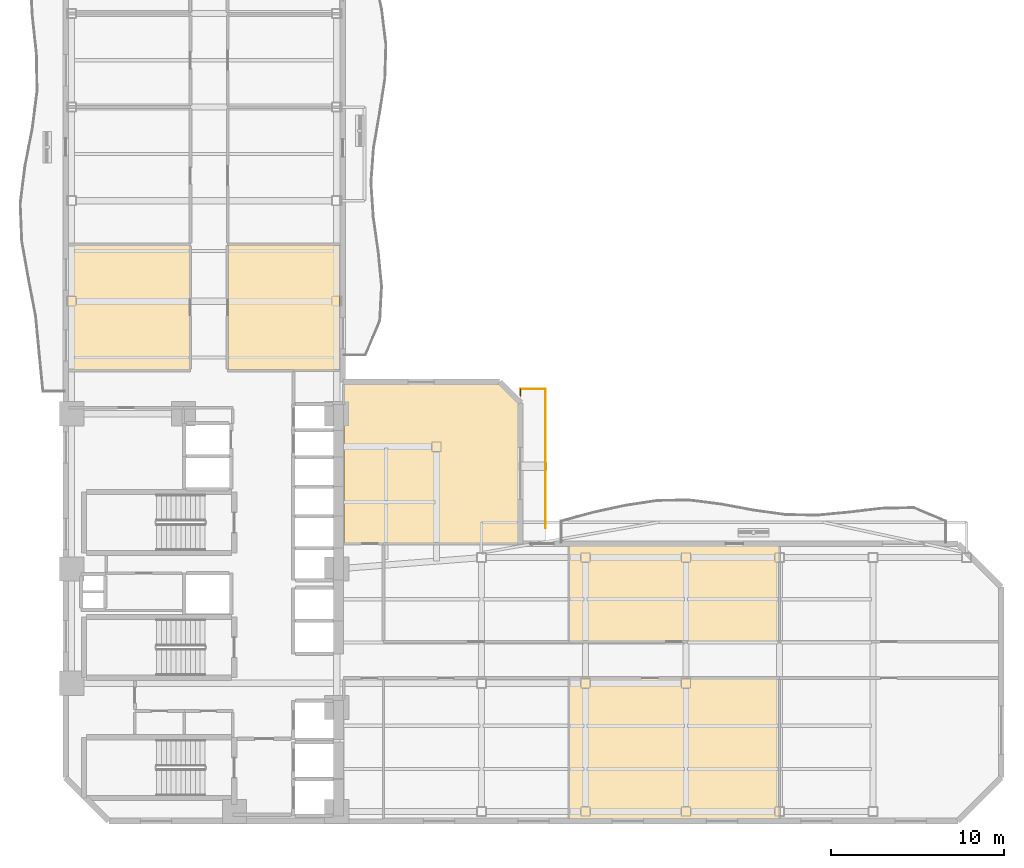
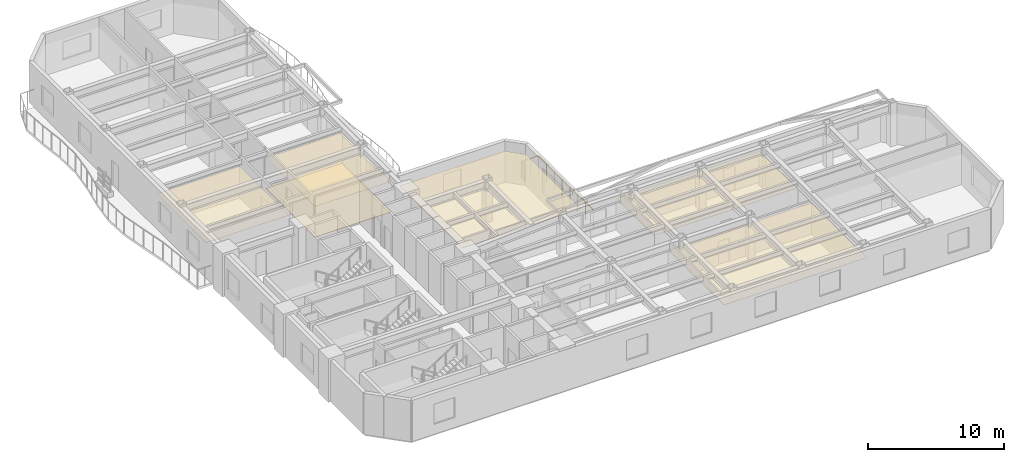
# One storey, part 9 of 11: 6 coverings, 3 railings.
"""IFC4 building model written with IfcOpenShell, lengths in metres."""

from ifc_helpers import new_model, si_unit, direction, frame, origin, origin_2d, place, context, subcontext, project, spatial, polyline, rectangle, outline, extrude, material, layer, layer_set, type_object, element, save


model = new_model("IFC4")

# Units and contexts
model_context = context("Model", 3, precision=1e-05, world=origin(), true_north=direction((0.0, 1.0)))
body_context = subcontext(model_context, "Body", "Model", "MODEL_VIEW")
ifc_project = project(units=[si_unit("LENGTHUNIT", "METRE"), si_unit("AREAUNIT", "SQUARE_METRE"), si_unit("VOLUMEUNIT", "CUBIC_METRE"), si_unit("PLANEANGLEUNIT", "RADIAN"), si_unit("MASSUNIT", "GRAM", prefix="KILO")], contexts=[model_context])

# Site, building, storey
site_placement = place(None, origin())
site = spatial("IfcSite", under=ifc_project, at=site_placement, CompositionType="ELEMENT")
building_placement = place(site_placement, origin())
building = spatial("IfcBuilding", under=site, at=building_placement, Name="Mawjaban Terraces University", CompositionType="ELEMENT")
storey_placement = place(building_placement, frame((0.0, 0.0, 77.800048828125)))
storey = spatial("IfcBuildingStorey", under=building, at=storey_placement, Name="L18", CompositionType="ELEMENT", Elevation=77.800048828125)

# Coverings
ifc_material_1 = material(Name="Acoustic mineral fibre ceiling tile", Category="masonry")
ifc_layer_1 = layer(ifc_material_1, 0.02001953125)
ifc_layer_set_1 = layer_set([ifc_layer_1], Name="Acoustic mineral fibre ceiling tile")
covering_type_1 = type_object("IfcCoveringType", Name="AcousticMineralCeiling_20", PredefinedType="CEILING", material=ifc_layer_set_1)
covering_1_placement = place(storey_placement, frame((0.0, 0.0, 2.75)))
element("IfcCovering", 1, at=covering_1_placement, inside=storey, type_object=covering_type_1, Name="L18 Academic Counseling Room 4 Acoustic Ceiling", PredefinedType="CEILING", context=body_context, shape_type="SweptSolid", body=[
    extrude(outline(polyline([(51.074951171875, 0.114990234375), (63.169921875, 0.114990234375), (63.169921875, 8.219970703125), (51.074951171875, 8.219970703125), (51.074951171875, 0.114990234375)])), origin(), (0.0, 0.0, 1.0), 0.02001953125),
])
covering_2_placement = place(storey_placement, frame((0.0, 0.0, 2.75)))
element("IfcCovering", 2, at=covering_2_placement, inside=storey, type_object=covering_type_1, Name="L18 Faculty Office 5 Acoustic Ceiling", PredefinedType="CEILING", context=body_context, shape_type="SweptSolid", body=[
    extrude(outline(polyline([(63.169921875, 15.885009765625), (51.074951171875, 15.885009765625), (51.074951171875, 10.3798828125), (63.169921875, 10.3798828125), (63.169921875, 15.885009765625)])), origin(), (0.0, 0.0, 1.0), 0.02001953125),
])
covering_3_placement = place(storey_placement, frame((0.0, 0.0, 2.75)))
element("IfcCovering", 3, at=covering_3_placement, inside=storey, type_object=covering_type_1, Name="L18 Departmental Office 8 Acoustic Ceiling", PredefinedType="CEILING", context=body_context, shape_type="SweptSolid", body=[
    extrude(outline(polyline([(22.114990234375, 33.25), (22.114990234375, 26.030029296875), (29.169921875, 26.030029296875), (29.169921875, 33.25), (22.114990234375, 33.25)])), origin(), (0.0, 0.0, 1.0), 0.02001953125),
])
covering_4_placement = place(storey_placement, frame((0.0, 0.0, 2.75)))
element("IfcCovering", 4, at=covering_4_placement, inside=storey, type_object=covering_type_1, Name="L18 Quiet Reading Room 9 Acoustic Ceiling", PredefinedType="CEILING", context=body_context, shape_type="SweptSolid", body=[
    extrude(outline(polyline([(37.820068359375, 26.030029296875), (37.820068359375, 33.25), (31.3798828125, 33.25), (31.3798828125, 26.030029296875), (37.820068359375, 26.030029296875)])), origin(), (0.0, 0.0, 1.0), 0.02001953125),
])
covering_5_placement = place(storey_placement, frame((0.0, 0.0, 2.75)))
element("IfcCovering", 5, at=covering_5_placement, inside=storey, type_object=covering_type_1, Name="L18 Terrace Collaborative Study Room Acoustic Ceiling", PredefinedType="CEILING", context=body_context, shape_type="SweptSolid", body=[
    extrude(outline(polyline([(48.135009765625, 16.030029296875), (48.135009765625, 24.090087890625), (47.0029296875, 25.221923828125), (38.080078125, 25.221923828125), (38.080078125, 16.030029296875), (48.135009765625, 16.030029296875)])), origin(), (0.0, 0.0, 1.0), 0.02001953125),
])

# Railings
ifc_material_2 = material(Name="Galvanised powder-coated steel S355", Category="steel")
railing_type = type_object("IfcRailingType", Name="BalconyBalustrade_1600", PredefinedType="BALUSTRADE", material=ifc_material_2)
railing_1_placement = place(storey_placement, frame((49.699951171875, 16.927978515625, 0.0)))
element("IfcRailing", 6, at=railing_1_placement, inside=storey, type_object=railing_type, Name="L18 Terrace Guardrail TER-L18-CLIMB.1", PredefinedType="BALUSTRADE", context=body_context, shape_type="SweptSolid", body=[
    extrude(rectangle(XDim=0.048095703125, YDim=0.048095703125, at=origin_2d()), frame((0.0, 0.0, 1.576171875), z_axis=(0.0, 1.0, 0.0), x_axis=(-1.0, 0.0, 0.0)), (0.0, 0.0, 1.0), 8.009033203125),
    extrude(rectangle(XDim=0.0419921875, YDim=0.0419921875, at=origin_2d()), origin(), (0.0, 0.0, 1.0), 1.552001953125),
    extrude(rectangle(XDim=0.0419921875, YDim=0.0419921875, at=origin_2d()), frame((0.0, 1.14404296875, 0.0)), (0.0, 0.0, 1.0), 1.552001953125),
    extrude(rectangle(XDim=0.0419921875, YDim=0.0419921875, at=origin_2d()), frame((0.0, 2.288330078125, 0.0)), (0.0, 0.0, 1.0), 1.552001953125),
    extrude(rectangle(XDim=0.0419921875, YDim=0.0419921875, at=origin_2d()), frame((0.0, 3.432373046875, 0.0)), (0.0, 0.0, 1.0), 1.552001953125),
    extrude(rectangle(XDim=0.0419921875, YDim=0.0419921875, at=origin_2d()), frame((0.0, 4.57666015625, 0.0)), (0.0, 0.0, 1.0), 1.552001953125),
    extrude(rectangle(XDim=0.0419921875, YDim=0.0419921875, at=origin_2d()), frame((0.0, 5.720703125, 0.0)), (0.0, 0.0, 1.0), 1.552001953125),
    extrude(rectangle(XDim=0.0419921875, YDim=0.0419921875, at=origin_2d()), frame((0.0, 6.864990234375, 0.0)), (0.0, 0.0, 1.0), 1.552001953125),
    extrude(rectangle(XDim=0.0419921875, YDim=0.0419921875, at=origin_2d()), frame((0.0, 8.009033203125, 0.0)), (0.0, 0.0, 1.0), 1.552001953125),
])
railing_2_placement = place(storey_placement, frame((49.699951171875, 24.93701171875, 0.0)))
element("IfcRailing", 7, at=railing_2_placement, inside=storey, type_object=railing_type, Name="L18 Terrace Guardrail TER-L18-CLIMB.2", PredefinedType="BALUSTRADE", context=body_context, shape_type="SweptSolid", body=[
    extrude(rectangle(XDim=0.048095703125, YDim=0.048095703125, at=origin_2d()), frame((0.0, 0.0, 1.576171875), z_axis=(-1.0, 0.0, 0.0), x_axis=(0.0, -1.0, 0.0)), (0.0, 0.0, 1.0), 1.449951171875),
    extrude(rectangle(XDim=0.0419921875, YDim=0.0419921875, at=origin_2d()), origin(), (0.0, 0.0, 1.0), 1.552001953125),
    extrude(rectangle(XDim=0.0419921875, YDim=0.0419921875, at=origin_2d()), frame((-0.72509765625, 0.0, 0.0)), (0.0, 0.0, 1.0), 1.552001953125),
    extrude(rectangle(XDim=0.0419921875, YDim=0.0419921875, at=origin_2d()), frame((-1.449951171875, 0.0, 0.0)), (0.0, 0.0, 1.0), 1.552001953125),
])
railing_3_placement = place(storey_placement, frame((48.25, 24.93701171875, 0.0)))
element("IfcRailing", 8, at=railing_3_placement, inside=storey, type_object=railing_type, Name="L18 Terrace Guardrail TER-L18-CLIMB.3", PredefinedType="BALUSTRADE", context=body_context, shape_type="SweptSolid", body=[
    extrude(rectangle(XDim=0.048095703125, YDim=0.048095703125, at=origin_2d()), frame((0.0, 0.0, 1.576171875), z_axis=(0.0, -1.0, 0.0), x_axis=(1.0, 0.0, 0.0)), (0.0, 0.0, 1.0), 0.404052734375),
    extrude(rectangle(XDim=0.0419921875, YDim=0.0419921875, at=origin_2d()), origin(), (0.0, 0.0, 1.0), 1.552001953125),
    extrude(rectangle(XDim=0.0419921875, YDim=0.0419921875, at=origin_2d()), frame((0.0, -0.404052734375, 0.0)), (0.0, 0.0, 1.0), 1.552001953125),
])

# Covering
ifc_material_3 = material(Name="Polished Hijazi granite terrazzo flooring", Category="masonry")
ifc_layer_2 = layer(ifc_material_3, 0.02490234375)
ifc_layer_set_2 = layer_set([ifc_layer_2], Name="Polished Hijazi granite terrazzo flooring")
covering_type_2 = type_object("IfcCoveringType", Name="TerrazzoConcourseFlooring_25", PredefinedType="FLOORING", material=ifc_layer_set_2)
covering_6_placement = place(storey_placement, origin())
element("IfcCovering", 9, at=covering_6_placement, inside=storey, type_object=covering_type_2, Name="L18 Quiet Reading Room 9 Terrazzo Flooring", PredefinedType="FLOORING", context=body_context, shape_type="SweptSolid", body=[
    extrude(outline(polyline([(37.820068359375, 26.030029296875), (37.820068359375, 33.25), (31.3798828125, 33.25), (31.3798828125, 26.030029296875), (37.820068359375, 26.030029296875)])), origin(), (0.0, 0.0, 1.0), 0.02490234375),
])

save(model, "model.ifc")
